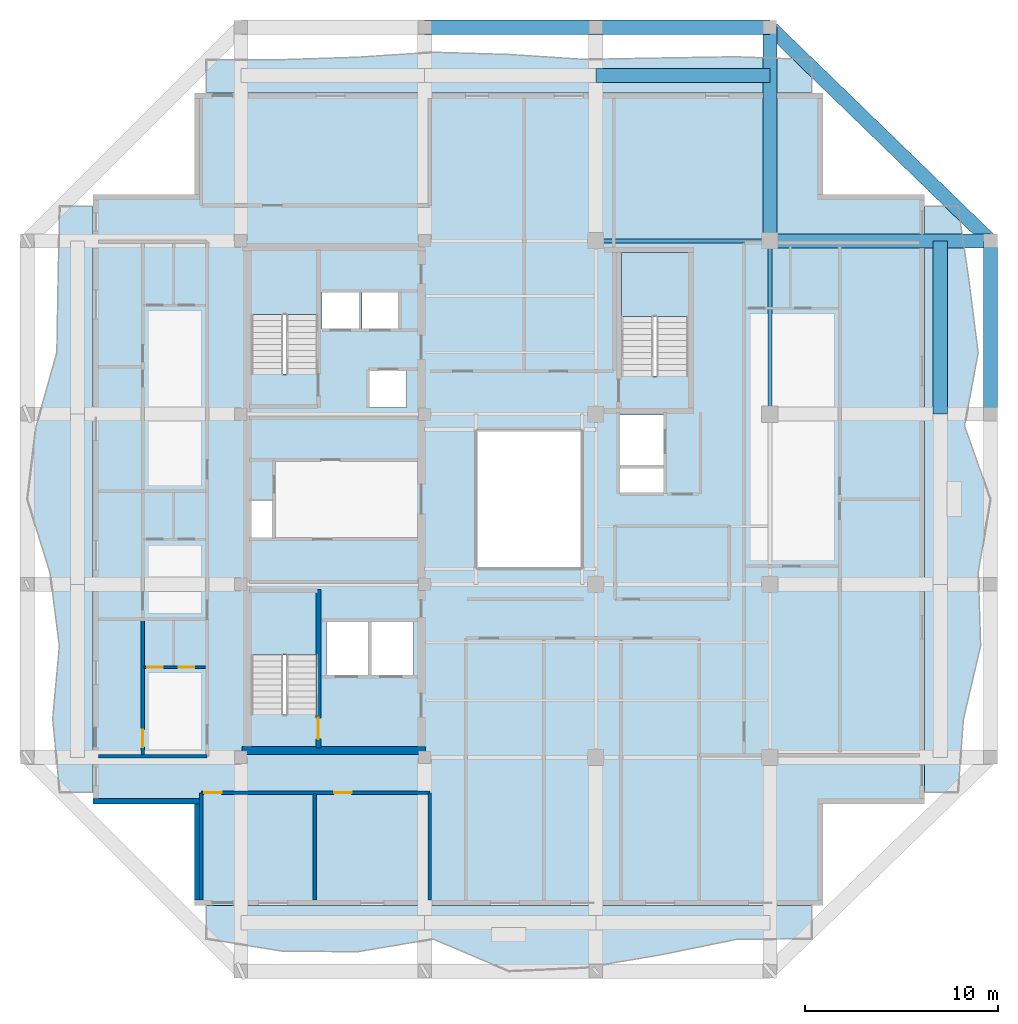
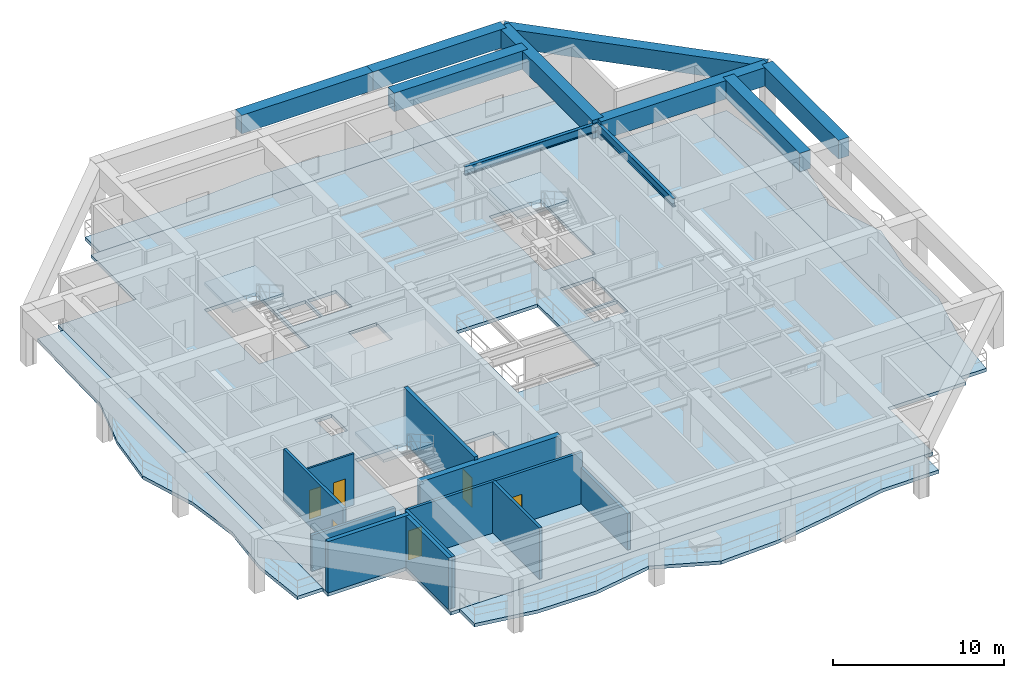
# One storey, part 2 of 11: 11 walls, 10 beams, 8 slabs, 6 doors, 6 openings, 3 elements without a shape of their own.
"""IFC4 building model written with IfcOpenShell, lengths in metres."""

from ifc_helpers import new_model, si_unit, direction, frame, frame_2d, origin, origin_2d, place, context, subcontext, project, spatial, polyline, rectangle, i_section, outline, extrude, material, layer, layer_set, material_profile, profile_set, type_object, element, fill, aggregate, save


model = new_model("IFC4")

# Units and contexts
model_context = context("Model", 3, precision=1e-05, world=origin(), true_north=direction((0.0, 1.0)))
body_context = subcontext(model_context, "Body", "Model", "MODEL_VIEW")
ifc_project = project(units=[si_unit("LENGTHUNIT", "METRE"), si_unit("AREAUNIT", "SQUARE_METRE"), si_unit("VOLUMEUNIT", "CUBIC_METRE"), si_unit("PLANEANGLEUNIT", "RADIAN"), si_unit("MASSUNIT", "GRAM", prefix="KILO")], contexts=[model_context])

# Site, building, storey
site_placement = place(None, origin())
site = spatial("IfcSite", under=ifc_project, at=site_placement, CompositionType="ELEMENT")
building_placement = place(site_placement, origin())
building = spatial("IfcBuilding", under=site, at=building_placement, Name="Kundavana Baori Tower", CompositionType="ELEMENT")
storey_placement = place(building_placement, frame((0.0, 0.0, 268.699951171875)))
storey = spatial("IfcBuildingStorey", under=building, at=storey_placement, Name="L66", CompositionType="ELEMENT", Elevation=268.699951171875)

# Beams
ifc_material_1 = material(Name="Structural Steel S355JR", Category="steel")
ifc_material_profile_1 = material_profile(ifc_material_1, i_section(OverallWidth=0.2099609375, OverallDepth=0.60009765625, WebThickness=0.011962890625, FlangeThickness=0.020751953125, FilletRadius=0.02001953125, at=origin_2d()), Name="ISMB 600")
ifc_profile_set_1 = profile_set([ifc_material_profile_1], Name="Structural Steel S355JR")
beam_type_1 = type_object("IfcBeamType", Name="BM-ST-600", PredefinedType="BEAM", material=ifc_profile_set_1)
beam_1_placement = place(storey_placement, frame((33.800048828125, 41.949951171875, 3.360107421875), z_axis=(1.0, 0.0, 0.0), x_axis=(0.0, 1.0, 0.0)))
element("IfcBeam", 1, at=beam_1_placement, inside=storey, type_object=beam_type_1, Name="L66 Primary Grid Girder GX-4-3", PredefinedType="BEAM", context=body_context, shape_type="SweptSolid", body=[
    extrude(i_section(OverallWidth=0.2099609375, OverallDepth=0.60009765625, WebThickness=0.011962890625, FlangeThickness=0.020751953125, FilletRadius=0.02001953125, at=origin_2d()), origin(), (0.0, 0.0, 1.0), 9.0),
])
beam_2_placement = place(storey_placement, frame((42.800048828125, 33.0, 3.360107421875), z_axis=(0.0, 1.0, 0.0), x_axis=(-1.0, 0.0, 0.0)))
element("IfcBeam", 2, at=beam_2_placement, inside=storey, type_object=beam_type_1, Name="L66 Primary Grid Girder GY-4-3", PredefinedType="BEAM", context=body_context, shape_type="SweptSolid", body=[
    extrude(i_section(OverallWidth=0.2099609375, OverallDepth=0.60009765625, WebThickness=0.011962890625, FlangeThickness=0.020751953125, FilletRadius=0.02001953125, at=origin_2d()), origin(), (0.0, 0.0, 1.0), 8.949951171875),
])
ifc_material_2 = material(Name="Concrete C50/60", Category="concrete")
ifc_material_profile_2 = material_profile(ifc_material_2, rectangle(XDim=0.739990234375, YDim=1.320068359375, at=origin_2d()), Name="BM-TG-5")
ifc_profile_set_2 = profile_set([ifc_material_profile_2], Name="Concrete C50/60")
beam_type_2 = type_object("IfcBeamType", Name="BM-TG-5", PredefinedType="USERDEFINED", material=ifc_profile_set_2)
beam_3_placement = place(storey_placement, frame((24.949951171875, 53.0, 3.239990234375), z_axis=(1.0, 0.0, 0.0), x_axis=(0.0, 1.0, 0.0)))
element("IfcBeam", 3, at=beam_3_placement, inside=storey, type_object=beam_type_2, Name="L66 Perimeter Frame Ring Beam N2", ObjectType="TRANSFER GIRDER", PredefinedType="USERDEFINED", context=body_context, shape_type="SweptSolid", body=[
    extrude(rectangle(XDim=0.739990234375, YDim=1.320068359375, at=origin_2d()), origin(), (0.0, 0.0, 1.0), 8.85009765625),
])
beam_4_placement = place(storey_placement, frame((33.800048828125, 53.0, 3.239990234375), z_axis=(1.0, 0.0, 0.0), x_axis=(0.0, 1.0, 0.0)))
element("IfcBeam", 4, at=beam_4_placement, inside=storey, type_object=beam_type_2, Name="L66 Perimeter Frame Ring Beam N3", ObjectType="TRANSFER GIRDER", PredefinedType="USERDEFINED", context=body_context, shape_type="SweptSolid", body=[
    extrude(rectangle(XDim=0.739990234375, YDim=1.320068359375, at=origin_2d()), origin(), (0.0, 0.0, 1.0), 9.0),
])
beam_5_placement = place(storey_placement, frame((54.199951171875, 33.0, 3.239990234375), z_axis=(0.0, 1.0, 0.0), x_axis=(-1.0, 0.0, 0.0)))
element("IfcBeam", 5, at=beam_5_placement, inside=storey, type_object=beam_type_2, Name="L66 Perimeter Frame Ring Beam E3", ObjectType="TRANSFER GIRDER", PredefinedType="USERDEFINED", context=body_context, shape_type="SweptSolid", body=[
    extrude(rectangle(XDim=0.739990234375, YDim=1.320068359375, at=origin_2d()), origin(), (0.0, 0.0, 1.0), 8.949951171875),
])
beam_6_placement = place(storey_placement, frame((42.800048828125, 53.0, 3.239990234375), z_axis=(0.718038944492, -0.696002926857, 0.0), x_axis=(0.696002926857, 0.718038944492, 0.0)))
element("IfcBeam", 6, at=beam_6_placement, inside=storey, type_object=beam_type_2, Name="L66 Notched Corner Perimeter Beam NE", ObjectType="TRANSFER GIRDER", PredefinedType="USERDEFINED", context=body_context, shape_type="SweptSolid", body=[
    extrude(rectangle(XDim=0.739990234375, YDim=1.320068359375, at=origin_2d()), origin(), (0.0, 0.0, 1.0), 15.87646484375),
])
beam_7_placement = place(storey_placement, frame((42.800048828125, 41.949951171875, 3.239990234375), z_axis=(0.0, 1.0, 0.0), x_axis=(-1.0, 0.0, 0.0)))
element("IfcBeam", 7, at=beam_7_placement, inside=storey, type_object=beam_type_2, Name="L66 North Radial Transfer Girder N4", ObjectType="TRANSFER GIRDER", PredefinedType="USERDEFINED", context=body_context, shape_type="SweptSolid", body=[
    extrude(rectangle(XDim=0.739990234375, YDim=1.320068359375, at=origin_2d()), origin(), (0.0, 0.0, 1.0), 11.050048828125),
])
beam_8_placement = place(storey_placement, frame((42.800048828125, 41.949951171875, 3.239990234375), z_axis=(1.0, 0.0, 0.0), x_axis=(0.0, 1.0, 0.0)))
element("IfcBeam", 8, at=beam_8_placement, inside=storey, type_object=beam_type_2, Name="L66 East Radial Transfer Girder E4", ObjectType="TRANSFER GIRDER", PredefinedType="USERDEFINED", context=body_context, shape_type="SweptSolid", body=[
    extrude(rectangle(XDim=0.739990234375, YDim=1.320068359375, at=origin_2d()), origin(), (0.0, 0.0, 1.0), 11.39990234375),
])
beam_9_placement = place(storey_placement, frame((33.800048828125, 50.5, 3.239990234375), z_axis=(1.0, 0.0, 0.0), x_axis=(0.0, 1.0, 0.0)))
element("IfcBeam", 9, at=beam_9_placement, inside=storey, type_object=beam_type_2, Name="L66 Setback Collar Transfer Girder N3", ObjectType="TRANSFER GIRDER", PredefinedType="USERDEFINED", context=body_context, shape_type="SweptSolid", body=[
    extrude(rectangle(XDim=0.739990234375, YDim=1.320068359375, at=origin_2d()), origin(), (0.0, 0.0, 1.0), 9.0),
])
beam_10_placement = place(storey_placement, frame((51.60009765625, 33.0, 3.239990234375), z_axis=(0.0, 1.0, 0.0), x_axis=(-1.0, 0.0, 0.0)))
element("IfcBeam", 10, at=beam_10_placement, inside=storey, type_object=beam_type_2, Name="L66 Setback Collar Transfer Girder E3", ObjectType="TRANSFER GIRDER", PredefinedType="USERDEFINED", context=body_context, shape_type="SweptSolid", body=[
    extrude(rectangle(XDim=0.739990234375, YDim=1.320068359375, at=origin_2d()), origin(), (0.0, 0.0, 1.0), 8.949951171875),
])

# Slab
ifc_material_3 = material(Name="Concrete C40/50", Category="concrete")
ifc_layer_1 = layer(ifc_material_3, 0.239990234375, Name="SLB-FLR-240")
ifc_layer_set_1 = layer_set([ifc_layer_1], Name="Concrete C40/50")
slab_type_1 = type_object("IfcSlabType", Name="SLB-FLR-240", PredefinedType="FLOOR", material=ifc_layer_set_1)
slab_1_placement = place(storey_placement, frame((0.0, 0.0, -0.239990234375)))
element("IfcSlab", 11, at=slab_1_placement, inside=storey, type_object=slab_type_1, Name="L66 Structural Floor Slab", PredefinedType="FLOOR", context=body_context, shape_type="SweptSolid", body=[
    extrude(outline(polyline([(13.050048828125, 7.60009765625), (45.550048828125, 7.60009765625), (45.550048828125, 12.85009765625), (50.800048828125, 12.85009765625), (50.800048828125, 44.35009765625), (45.550048828125, 44.35009765625), (45.550048828125, 49.60009765625), (13.050048828125, 49.60009765625), (13.050048828125, 44.35009765625), (7.800048828125, 44.35009765625), (7.800048828125, 12.85009765625), (13.050048828125, 12.85009765625), (13.050048828125, 7.60009765625)]), holes=[polyline([(19.43994140625, 17.4619140625), (19.43994140625, 23.85009765625), (15.97998046875, 23.85009765625), (15.97998046875, 17.4619140625), (19.43994140625, 17.4619140625)]), polyline([(19.43994140625, 35.06201171875), (19.43994140625, 41.449951171875), (15.97998046875, 41.449951171875), (15.97998046875, 35.06201171875), (19.43994140625, 35.06201171875)]), polyline([(38.580078125, 34.9619140625), (38.580078125, 41.35009765625), (35.1201171875, 41.35009765625), (35.1201171875, 34.9619140625), (38.580078125, 34.9619140625)]), polyline([(19.64990234375, 37.39990234375), (21.550048828125, 37.39990234375), (21.550048828125, 39.300048828125), (19.64990234375, 39.300048828125), (19.64990234375, 37.39990234375)]), polyline([(21.699951171875, 37.39990234375), (23.60009765625, 37.39990234375), (23.60009765625, 39.300048828125), (21.699951171875, 39.300048828125), (21.699951171875, 37.39990234375)]), polyline([(22.10009765625, 33.35009765625), (24.0, 33.35009765625), (24.0, 35.25), (22.10009765625, 35.25), (22.10009765625, 33.35009765625)]), polyline([(19.8798828125, 19.5), (22.02001953125, 19.5), (22.02001953125, 22.25), (19.8798828125, 22.25), (19.8798828125, 19.5)]), polyline([(22.179931640625, 19.5), (24.3798828125, 19.5), (24.3798828125, 22.25), (22.179931640625, 22.25), (22.179931640625, 19.5)]), polyline([(35.050048828125, 30.35009765625), (37.300048828125, 30.35009765625), (37.300048828125, 32.949951171875), (35.050048828125, 32.949951171875), (35.050048828125, 30.35009765625)]), polyline([(15.949951171875, 26.60009765625), (17.080078125, 26.60009765625), (17.080078125, 28.5), (15.949951171875, 28.5), (15.949951171875, 26.60009765625)]), polyline([(35.050048828125, 28.949951171875), (37.300048828125, 28.949951171875), (37.300048828125, 30.199951171875), (35.050048828125, 30.199951171875), (35.050048828125, 28.949951171875)]), polyline([(27.60009765625, 25.0), (33.10009765625, 25.0), (33.10009765625, 32.199951171875), (27.60009765625, 32.199951171875), (27.60009765625, 25.0)])]), origin(), (0.0, 0.0, 1.0), 0.239990234375),
])

# Stair, slab
ifc_material_4 = material(Name="Concrete C40/50", Category="concrete")
stair_type = type_object("IfcStairType", Name="STR-DOG-1650", PredefinedType="HALF_TURN_STAIR", material=ifc_material_4)
stair_1_placement = place(storey_placement, origin())
stair_1 = element("IfcStair", 12, at=stair_1_placement, inside=storey, type_object=stair_type, Name="L66 Protected Exit Stair ST1", PredefinedType="HALF_TURN_STAIR")
ifc_material_5 = material(Name="Concrete C40/50", Category="concrete")
ifc_layer_2 = layer(ifc_material_5, 0.199951171875, Name="SLB-LND-200")
ifc_layer_set_2 = layer_set([ifc_layer_2], Name="Concrete C40/50")
slab_type_2 = type_object("IfcSlabType", Name="SLB-LND-200", PredefinedType="LANDING", material=ifc_layer_set_2)
slab_2_placement = place(storey_placement, frame((0.0, 0.0, 1.75)))
slab_2 = element("IfcSlab", 13, at=slab_2_placement, type_object=slab_type_2, Name="ST1 landing 1", PredefinedType="LANDING", context=body_context, shape_type="SweptSolid", body=[
    extrude(outline(polyline([(19.43994140625, 20.550048828125), (19.43994140625, 23.85009765625), (15.97998046875, 23.85009765625), (15.97998046875, 20.550048828125), (19.43994140625, 20.550048828125)])), origin(), (0.0, 0.0, 1.0), 0.199951171875),
])
aggregate(stair_1, [slab_2])

stair_2_placement = place(storey_placement, origin())
stair_2 = element("IfcStair", 14, at=stair_2_placement, inside=storey, type_object=stair_type, Name="L66 Protected Exit Stair ST2", PredefinedType="HALF_TURN_STAIR")
slab_3_placement = place(storey_placement, frame((0.0, 0.0, 1.75)))
slab_3 = element("IfcSlab", 15, at=slab_3_placement, type_object=slab_type_2, Name="ST2 landing 1", PredefinedType="LANDING", context=body_context, shape_type="SweptSolid", body=[
    extrude(outline(polyline([(19.43994140625, 38.14990234375), (19.43994140625, 41.449951171875), (15.97998046875, 41.449951171875), (15.97998046875, 38.14990234375), (19.43994140625, 38.14990234375)])), origin(), (0.0, 0.0, 1.0), 0.199951171875),
])
aggregate(stair_2, [slab_3])

stair_3_placement = place(storey_placement, origin())
stair_3 = element("IfcStair", 16, at=stair_3_placement, inside=storey, type_object=stair_type, Name="L66 Protected Exit Stair ST3", PredefinedType="HALF_TURN_STAIR")
slab_4_placement = place(storey_placement, frame((0.0, 0.0, 1.75)))
slab_4 = element("IfcSlab", 17, at=slab_4_placement, type_object=slab_type_2, Name="ST3 landing 1", PredefinedType="LANDING", context=body_context, shape_type="SweptSolid", body=[
    extrude(outline(polyline([(38.580078125, 38.050048828125), (38.580078125, 41.35009765625), (35.1201171875, 41.35009765625), (35.1201171875, 38.050048828125), (38.580078125, 38.050048828125)])), origin(), (0.0, 0.0, 1.0), 0.199951171875),
])
aggregate(stair_3, [slab_4])

# Slabs
ifc_material_6 = material(Name="Concrete C40/50", Category="concrete")
ifc_layer_3 = layer(ifc_material_6, 0.239990234375, Name="SLB-LOG-240")
ifc_layer_set_3 = layer_set([ifc_layer_3], Name="Concrete C40/50")
slab_type_3 = type_object("IfcSlabType", Name="SLB-LOG-240", PredefinedType="FLOOR", material=ifc_layer_set_3)
slab_5_placement = place(storey_placement, frame((0.0, 0.0, -0.239990234375)))
element("IfcSlab", 18, at=slab_5_placement, inside=storey, type_object=slab_type_3, Name="L66 Planted Loggia Balcony Slab S", PredefinedType="FLOOR", context=body_context, shape_type="SweptSolid", body=[
    extrude(outline(polyline([(13.64990234375, 7.60009765625), (44.949951171875, 7.60009765625), (44.949951171875, 5.8798828125), (41.0380859375, 5.840087890625), (37.125, 5.0380859375), (33.212890625, 4.376953125), (29.300048828125, 4.199951171875), (25.387939453125, 5.862060546875), (21.47509765625, 5.200927734375), (17.56201171875, 5.238037109375), (13.64990234375, 5.8798828125), (13.64990234375, 7.60009765625)])), origin(), (0.0, 0.0, 1.0), 0.239990234375),
])
slab_6_placement = place(storey_placement, frame((0.0, 0.0, -0.239990234375)))
element("IfcSlab", 19, at=slab_6_placement, inside=storey, type_object=slab_type_3, Name="L66 Planted Loggia Balcony Slab E", PredefinedType="FLOOR", context=body_context, shape_type="SweptSolid", body=[
    extrude(outline(polyline([(50.800048828125, 13.449951171875), (50.800048828125, 43.75), (52.52001953125, 43.75), (53.080078125, 39.9619140625), (53.56103515625, 36.175048828125), (52.85888671875, 32.387939453125), (54.199951171875, 28.60009765625), (53.569091796875, 24.81201171875), (53.69091796875, 21.02490234375), (52.802978515625, 17.238037109375), (52.52001953125, 13.449951171875), (50.800048828125, 13.449951171875)])), origin(), (0.0, 0.0, 1.0), 0.239990234375),
])
slab_7_placement = place(storey_placement, frame((0.0, 0.0, -0.239990234375)))
element("IfcSlab", 20, at=slab_7_placement, inside=storey, type_object=slab_type_3, Name="L66 Planted Loggia Balcony Slab N", PredefinedType="FLOOR", context=body_context, shape_type="SweptSolid", body=[
    extrude(outline(polyline([(44.949951171875, 49.60009765625), (13.64990234375, 49.60009765625), (13.64990234375, 51.320068359375), (17.56201171875, 51.320068359375), (21.47509765625, 51.447021484375), (25.387939453125, 51.7041015625), (29.300048828125, 51.590087890625), (33.212890625, 51.33203125), (37.125, 51.406005859375), (41.0380859375, 51.470947265625), (44.949951171875, 51.320068359375), (44.949951171875, 49.60009765625)])), origin(), (0.0, 0.0, 1.0), 0.239990234375),
])
slab_8_placement = place(storey_placement, frame((0.0, 0.0, -0.239990234375)))
element("IfcSlab", 21, at=slab_8_placement, inside=storey, type_object=slab_type_3, Name="L66 Planted Loggia Balcony Slab W", PredefinedType="FLOOR", context=body_context, shape_type="SweptSolid", body=[
    extrude(outline(polyline([(7.800048828125, 43.75), (7.800048828125, 13.449951171875), (6.080078125, 13.449951171875), (5.719970703125, 17.238037109375), (6.06298828125, 21.02490234375), (5.576904296875, 24.81201171875), (4.39990234375, 28.60009765625), (4.866943359375, 32.387939453125), (5.93310546875, 36.175048828125), (5.998046875, 39.9619140625), (6.080078125, 43.75), (7.800048828125, 43.75)])), origin(), (0.0, 0.0, 1.0), 0.239990234375),
])

# Wall
ifc_material_7 = material(Name="Concrete C50/60", Category="concrete")
ifc_layer_4 = layer(ifc_material_7, 0.39990234375, Name="WL-CORE-400")
ifc_layer_set_4 = layer_set([ifc_layer_4], Name="Concrete C50/60")
wall_type_1 = type_object("IfcWallType", Name="WL-CORE-400", PredefinedType="SHEAR", material=ifc_layer_set_4)
wall_1_placement = place(storey_placement, frame((15.5, 15.610107421875, 0.0), z_axis=(0.0, 0.0, 1.0), x_axis=(1.0, 0.0, 0.0)))
element("IfcWall", 22, at=wall_1_placement, inside=storey, type_object=wall_type_1, Name="L66 Offset Core South Shear Wall", PredefinedType="SHEAR", context=body_context, shape_type="SweptSolid", body=[
    extrude(rectangle(XDim=9.47998046875, YDim=0.39990234375, at=frame_2d((4.739990234375, 0.0))), origin(), (0.0, 0.0, 1.0), 3.66015625),
])

# Wall, opening, door
wall_2_placement = place(storey_placement, frame((19.4599609375, 15.739990234375, 0.0), z_axis=(0.0, 0.0, 1.0), x_axis=(0.0, 1.0, 0.0)))
wall_2 = element("IfcWall", 23, at=wall_2_placement, inside=storey, type_object=wall_type_1, Name="WL-L66-ST1-E", PredefinedType="SHEAR", context=body_context, shape_type="SweptSolid", body=[
    extrude(rectangle(XDim=8.199951171875, YDim=0.239990234375, at=frame_2d((4.10009765625, 0.0))), origin(), (0.0, 0.0, 1.0), 3.900146484375),
])
opening_1_placement = place(wall_2_placement, frame((0.449951171875, 0.0, 0.0)))
opening_1 = element("IfcOpeningElement", 24, at=opening_1_placement, cuts=wall_2, Name="Opening FD-110", PredefinedType="OPENING", context=body_context, shape_type="SweptSolid", body=[
    extrude(rectangle(XDim=1.10009765625, YDim=2.10009765625, at=frame_2d((0.550048828125, 1.050048828125))), frame((0.0, 0.1298828125, 0.0), z_axis=(0.0, -1.0, 0.0), x_axis=(1.0, 0.0, 0.0)), (0.0, 0.0, 1.0), 0.260009765625),
])
ifc_material_8 = material(Name="Galvanised Steel Fire-Rated Door Leaf", Category="steel")
door_type_1 = type_object("IfcDoorType", Name="DR-FD120-1100", OperationType="NOTDEFINED", PredefinedType="DOOR", material=ifc_material_8)
door_1_placement = place(opening_1_placement, origin())
door_1 = element("IfcDoor", 25, at=door_1_placement, inside=storey, type_object=door_type_1, Name="DR-L66-ST1", OperationType="SINGLE_SWING_LEFT", OverallHeight=2.10009765625, OverallWidth=1.10009765625, PredefinedType="DOOR", context=body_context, shape_type="SweptSolid", body=[
    extrude(rectangle(XDim=1.10009765625, YDim=2.10009765625, at=frame_2d((0.550048828125, 1.050048828125))), frame((0.0, 0.02490234375, 0.0), z_axis=(0.0, -1.0, 0.0), x_axis=(1.0, 0.0, 0.0)), (0.0, 0.0, 1.0), 0.050048828125),
])
fill(opening_1, door_1)

# Walls
ifc_material_9 = material(Name="Red-Buff Dholpur Sandstone Cladding on Concrete C40/50", Category="masonry")
ifc_layer_5 = layer(ifc_material_9, 0.280029296875, Name="WL-EXT-SAND-280")
ifc_layer_set_5 = layer_set([ifc_layer_5], Name="Red-Buff Dholpur Sandstone Cladding on Concrete C40/50")
wall_type_2 = type_object("IfcWallType", Name="WL-EXT-SAND-280", PredefinedType="STANDARD", material=ifc_layer_set_5)
wall_3_placement = place(storey_placement, frame((7.800048828125, 12.989990234375, 0.0), z_axis=(0.0, 0.0, 1.0), x_axis=(1.0, 0.0, 0.0)))
element("IfcWall", 26, at=wall_3_placement, inside=storey, type_object=wall_type_2, Name="L66 Exterior Insulated Facade Wall 11", PredefinedType="STANDARD", context=body_context, shape_type="SweptSolid", body=[
    extrude(rectangle(XDim=5.530029296875, YDim=0.280029296875, at=frame_2d((2.76513671875, 0.0))), origin(), (0.0, 0.0, 1.0), 3.66015625),
])
wall_4_placement = place(storey_placement, frame((13.18994140625, 12.85009765625, 0.0), z_axis=(0.0, 0.0, 1.0), x_axis=(0.0, -1.0, 0.0)))
element("IfcWall", 27, at=wall_4_placement, inside=storey, type_object=wall_type_2, Name="L66 Exterior Insulated Facade Wall 12", PredefinedType="STANDARD", context=body_context, shape_type="SweptSolid", body=[
    extrude(rectangle(XDim=4.97021484375, YDim=0.280029296875, at=frame_2d((2.485107421875, 0.0))), origin(), (0.0, 0.0, 1.0), 3.66015625),
])

# Wall, openings, doors
ifc_material_10 = material(Name="Autoclaved Aerated Concrete Blockwork Masonry", Category="masonry")
ifc_layer_6 = layer(ifc_material_10, 0.18505859375, Name="WL-PART-180")
ifc_layer_set_6 = layer_set([ifc_layer_6], Name="Autoclaved Aerated Concrete Blockwork Masonry")
wall_type_3 = type_object("IfcWallType", Name="WL-PART-180", PredefinedType="SOLIDWALL", material=ifc_layer_set_6)
wall_5_placement = place(storey_placement, frame((13.39990234375, 13.419921875, 0.0), z_axis=(0.0, 0.0, 1.0), x_axis=(1.0, 0.0, 0.0)))
wall_5 = element("IfcWall", 28, at=wall_5_placement, inside=storey, type_object=wall_type_3, Name="WL-L66-RSC", PredefinedType="SOLIDWALL", context=body_context, shape_type="SweptSolid", body=[
    extrude(rectangle(XDim=11.820068359375, YDim=0.18505859375, at=frame_2d((5.91015625, 0.0))), origin(), (0.0, 0.0, 1.0), 3.66015625),
])
opening_2_placement = place(wall_5_placement, frame((0.14990234375, 0.0, 0.0)))
opening_2 = element("IfcOpeningElement", 29, at=opening_2_placement, cuts=wall_5, Name="Opening ID-090", PredefinedType="OPENING", context=body_context, shape_type="SweptSolid", body=[
    extrude(rectangle(XDim=0.89990234375, YDim=2.080078125, at=frame_2d((0.449951171875, 1.0400390625))), frame((0.0, 0.1025390625, 0.0), z_axis=(0.0, -1.0, 0.0), x_axis=(1.0, 0.0, 0.0)), (0.0, 0.0, 1.0), 0.205078125),
])
opening_3_placement = place(wall_5_placement, frame((6.8701171875, 0.0, 0.0)))
opening_3 = element("IfcOpeningElement", 30, at=opening_3_placement, cuts=wall_5, Name="Opening ID-090", PredefinedType="OPENING", context=body_context, shape_type="SweptSolid", body=[
    extrude(rectangle(XDim=0.89990234375, YDim=2.080078125, at=frame_2d((0.449951171875, 1.0400390625))), frame((0.0, 0.1025390625, 0.0), z_axis=(0.0, -1.0, 0.0), x_axis=(1.0, 0.0, 0.0)), (0.0, 0.0, 1.0), 0.205078125),
])
ifc_material_11 = material(Name="Engineered Teak Solid-Core Timber Veneer", Category="wood")
door_type_2 = type_object("IfcDoorType", Name="DR-INT-900", OperationType="NOTDEFINED", PredefinedType="DOOR", material=ifc_material_11)
door_2_placement = place(opening_2_placement, frame((0.89990234375, 0.0, 0.0), z_axis=(0.0, 0.0, 1.0), x_axis=(-1.0, 0.0, 0.0)))
door_2 = element("IfcDoor", 31, at=door_2_placement, inside=storey, type_object=door_type_2, Name="DR-L66-RMSW1", OperationType="SINGLE_SWING_LEFT", OverallHeight=2.080078125, OverallWidth=0.89990234375, PredefinedType="DOOR", context=body_context, shape_type="SweptSolid", body=[
    extrude(rectangle(XDim=0.89990234375, YDim=2.080078125, at=frame_2d((0.449951171875, 1.0400390625))), frame((0.0, 0.02490234375, 0.0), z_axis=(0.0, -1.0, 0.0), x_axis=(1.0, 0.0, 0.0)), (0.0, 0.0, 1.0), 0.050048828125),
])
fill(opening_2, door_2)
door_3_placement = place(opening_3_placement, frame((0.89990234375, 0.0, 0.0), z_axis=(0.0, 0.0, 1.0), x_axis=(-1.0, 0.0, 0.0)))
door_3 = element("IfcDoor", 32, at=door_3_placement, inside=storey, type_object=door_type_2, Name="DR-L66-RMSW2", OperationType="SINGLE_SWING_RIGHT", OverallHeight=2.080078125, OverallWidth=0.89990234375, PredefinedType="DOOR", context=body_context, shape_type="SweptSolid", body=[
    extrude(rectangle(XDim=0.89990234375, YDim=2.080078125, at=frame_2d((0.449951171875, 1.0400390625))), frame((0.0, 0.02490234375, 0.0), z_axis=(0.0, -1.0, 0.0), x_axis=(1.0, 0.0, 0.0)), (0.0, 0.0, 1.0), 0.050048828125),
])
fill(opening_3, door_3)

# Walls
wall_6_placement = place(storey_placement, frame((13.39990234375, 7.8798828125, 0.0), z_axis=(0.0, 0.0, 1.0), x_axis=(0.0, 1.0, 0.0)))
element("IfcWall", 33, at=wall_6_placement, inside=storey, type_object=wall_type_3, Name="WL-L66-RSCW", PredefinedType="SOLIDWALL", context=body_context, shape_type="SweptSolid", body=[
    extrude(rectangle(XDim=5.5400390625, YDim=0.18505859375, at=frame_2d((2.77001953125, 0.0))), origin(), (0.0, 0.0, 1.0), 3.66015625),
])
wall_7_placement = place(storey_placement, frame((25.219970703125, 7.8798828125, 0.0), z_axis=(0.0, 0.0, 1.0), x_axis=(0.0, 1.0, 0.0)))
element("IfcWall", 34, at=wall_7_placement, inside=storey, type_object=wall_type_3, Name="WL-L66-RSCE", PredefinedType="SOLIDWALL", context=body_context, shape_type="SweptSolid", body=[
    extrude(rectangle(XDim=5.5400390625, YDim=0.18505859375, at=frame_2d((2.77001953125, 0.0))), origin(), (0.0, 0.0, 1.0), 2.580078125),
])
wall_8_placement = place(storey_placement, frame((19.27001953125, 7.8798828125, 0.0), z_axis=(0.0, 0.0, 1.0), x_axis=(0.0, 1.0, 0.0)))
element("IfcWall", 35, at=wall_8_placement, inside=storey, type_object=wall_type_3, Name="WL-L66-RSCD", PredefinedType="SOLIDWALL", context=body_context, shape_type="SweptSolid", body=[
    extrude(rectangle(XDim=5.480224609375, YDim=0.18505859375, at=frame_2d((2.740234375, 0.0))), origin(), (0.0, 0.0, 1.0), 3.66015625),
])
wall_9_placement = place(storey_placement, frame((8.080078125, 15.300048828125, 0.0), z_axis=(0.0, 0.0, 1.0), x_axis=(1.0, 0.0, 0.0)))
element("IfcWall", 36, at=wall_9_placement, inside=storey, type_object=wall_type_3, Name="WL-L66-RWS", PredefinedType="SOLIDWALL", context=body_context, shape_type="SweptSolid", body=[
    extrude(rectangle(XDim=5.619873046875, YDim=0.18505859375, at=frame_2d((2.81005859375, 0.0))), origin(), (0.0, 0.0, 1.0), 2.580078125),
])

# Wall, opening, door
wall_10_placement = place(storey_placement, frame((10.3701171875, 15.3798828125, 0.0), z_axis=(0.0, 0.0, 1.0), x_axis=(0.0, 1.0, 0.0)))
wall_10 = element("IfcWall", 37, at=wall_10_placement, inside=storey, type_object=wall_type_3, Name="WL-L66-W1-VT", PredefinedType="SOLIDWALL", context=body_context, shape_type="SweptSolid", body=[
    extrude(rectangle(XDim=6.940185546875, YDim=0.18505859375, at=frame_2d((3.47021484375, 0.0))), origin(), (0.0, 0.0, 1.0), 3.66015625),
])
opening_4_placement = place(wall_10_placement, frame((0.39990234375, 0.0, 0.0)))
opening_4 = element("IfcOpeningElement", 38, at=opening_4_placement, cuts=wall_10, Name="Opening ID-090", PredefinedType="OPENING", context=body_context, shape_type="SweptSolid", body=[
    extrude(rectangle(XDim=0.89990234375, YDim=2.080078125, at=frame_2d((0.449951171875, 1.0400390625))), frame((0.0, 0.1025390625, 0.0), z_axis=(0.0, -1.0, 0.0), x_axis=(1.0, 0.0, 0.0)), (0.0, 0.0, 1.0), 0.205078125),
])
door_4_placement = place(opening_4_placement, frame((0.89990234375, 0.0, 0.0), z_axis=(0.0, 0.0, 1.0), x_axis=(-1.0, 0.0, 0.0)))
door_4 = element("IfcDoor", 39, at=door_4_placement, inside=storey, type_object=door_type_2, Name="DR-L66-W1-B1", OperationType="SINGLE_SWING_LEFT", OverallHeight=2.080078125, OverallWidth=0.89990234375, PredefinedType="DOOR", context=body_context, shape_type="SweptSolid", body=[
    extrude(rectangle(XDim=0.89990234375, YDim=2.080078125, at=frame_2d((0.449951171875, 1.0400390625))), frame((0.0, 0.02490234375, 0.0), z_axis=(0.0, -1.0, 0.0), x_axis=(1.0, 0.0, 0.0)), (0.0, 0.0, 1.0), 0.050048828125),
])
fill(opening_4, door_4)

# Wall, openings, doors
ifc_material_12 = material(Name="Autoclaved Aerated Concrete Blockwork Masonry", Category="masonry")
ifc_layer_7 = layer(ifc_material_12, 0.125, Name="WL-WET-120")
ifc_layer_set_7 = layer_set([ifc_layer_7], Name="Autoclaved Aerated Concrete Blockwork Masonry")
wall_type_4 = type_object("IfcWallType", Name="WL-WET-120", PredefinedType="PLUMBINGWALL", material=ifc_layer_set_7)
wall_11_placement = place(storey_placement, frame((10.449951171875, 19.919921875, 0.0), z_axis=(0.0, 0.0, 1.0), x_axis=(1.0, 0.0, 0.0)))
wall_11 = element("IfcWall", 40, at=wall_11_placement, inside=storey, type_object=wall_type_4, Name="WL-L66-W1-KH", PredefinedType="PLUMBINGWALL", context=body_context, shape_type="SweptSolid", body=[
    extrude(rectangle(XDim=3.170166015625, YDim=0.125, at=frame_2d((1.5849609375, 0.0))), origin(), (0.0, 0.0, 1.0), 3.66015625),
])
opening_5_placement = place(wall_11_placement, frame((0.159912109375, 0.0, 0.0)))
opening_5 = element("IfcOpeningElement", 41, at=opening_5_placement, cuts=wall_11, Name="Opening WD-080", PredefinedType="OPENING", context=body_context, shape_type="SweptSolid", body=[
    extrude(rectangle(XDim=0.800048828125, YDim=2.050048828125, at=frame_2d((0.39990234375, 1.02490234375))), frame((0.0, 0.072509765625, 0.0), z_axis=(0.0, -1.0, 0.0), x_axis=(1.0, 0.0, 0.0)), (0.0, 0.0, 1.0), 0.14501953125),
])
opening_6_placement = place(wall_11_placement, frame((1.781982421875, 0.0, 0.0)))
opening_6 = element("IfcOpeningElement", 42, at=opening_6_placement, cuts=wall_11, Name="Opening WD-080", PredefinedType="OPENING", context=body_context, shape_type="SweptSolid", body=[
    extrude(rectangle(XDim=0.800048828125, YDim=2.050048828125, at=frame_2d((0.39990234375, 1.02490234375))), frame((0.0, 0.072509765625, 0.0), z_axis=(0.0, -1.0, 0.0), x_axis=(1.0, 0.0, 0.0)), (0.0, 0.0, 1.0), 0.14501953125),
])
ifc_material_13 = material(Name="Engineered Teak Solid-Core Timber Veneer", Category="wood")
door_type_3 = type_object("IfcDoorType", Name="DR-WET-800", OperationType="NOTDEFINED", PredefinedType="DOOR", material=ifc_material_13)
door_5_placement = place(opening_5_placement, origin())
door_5 = element("IfcDoor", 43, at=door_5_placement, inside=storey, type_object=door_type_3, Name="DR-L66-W1-BT", OperationType="SINGLE_SWING_LEFT", OverallHeight=2.050048828125, OverallWidth=0.800048828125, PredefinedType="DOOR", context=body_context, shape_type="SweptSolid", body=[
    extrude(rectangle(XDim=0.800048828125, YDim=2.050048828125, at=frame_2d((0.39990234375, 1.02490234375))), frame((0.0, 0.02490234375, 0.0), z_axis=(0.0, -1.0, 0.0), x_axis=(1.0, 0.0, 0.0)), (0.0, 0.0, 1.0), 0.050048828125),
])
fill(opening_5, door_5)
door_6_placement = place(opening_6_placement, origin())
door_6 = element("IfcDoor", 44, at=door_6_placement, inside=storey, type_object=door_type_3, Name="DR-L66-W1-KT", OperationType="SINGLE_SWING_RIGHT", OverallHeight=2.050048828125, OverallWidth=0.800048828125, PredefinedType="DOOR", context=body_context, shape_type="SweptSolid", body=[
    extrude(rectangle(XDim=0.800048828125, YDim=2.050048828125, at=frame_2d((0.39990234375, 1.02490234375))), frame((0.0, 0.02490234375, 0.0), z_axis=(0.0, -1.0, 0.0), x_axis=(1.0, 0.0, 0.0)), (0.0, 0.0, 1.0), 0.050048828125),
])
fill(opening_6, door_6)

save(model, "model.ifc")
